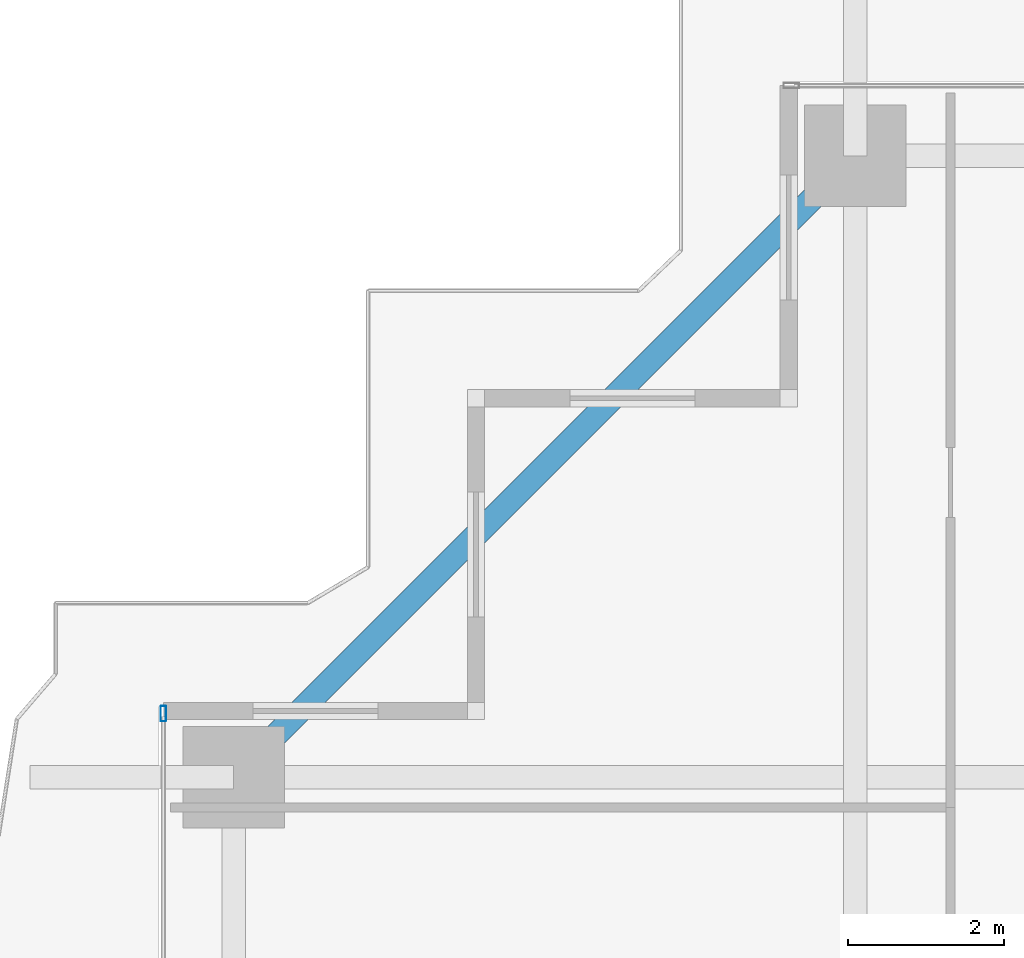
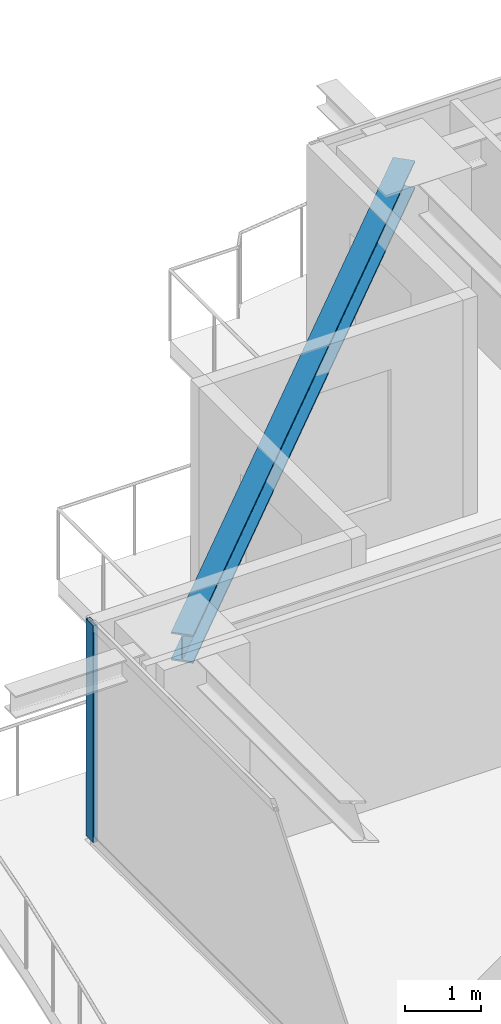
# One storey, part 19 of 39: 1 beam, 1 member, 1 element without a shape of its own.
"""IFC4 building model written with IfcOpenShell, lengths in metres."""

from ifc_helpers import new_model, si_unit, direction, frame, origin, origin_2d, place, context, subcontext, project, spatial, hollow_rectangle, i_section, extrude, source, transform, mapped, material, layer, layer_set, material_profile, profile_set, type_object, element, aggregate, save


model = new_model("IFC4")

# Units and contexts
model_context = context("Model", 3, precision=1e-05, world=origin(), true_north=direction((0.0, 1.0)))
body_context = subcontext(model_context, "Body", "Model", "MODEL_VIEW")
ifc_project = project(units=[si_unit("LENGTHUNIT", "METRE"), si_unit("AREAUNIT", "SQUARE_METRE"), si_unit("VOLUMEUNIT", "CUBIC_METRE"), si_unit("PLANEANGLEUNIT", "RADIAN"), si_unit("MASSUNIT", "GRAM", prefix="KILO")], contexts=[model_context])

# Site, building, storey
site_placement = place(None, origin())
site = spatial("IfcSite", under=ifc_project, at=site_placement, CompositionType="ELEMENT")
building_placement = place(site_placement, origin())
building = spatial("IfcBuilding", under=site, at=building_placement, Name="Serunith Strait Residences", CompositionType="ELEMENT")
storey_placement = place(building_placement, frame((0.0, 0.0, 168.89990234375)))
storey = spatial("IfcBuildingStorey", under=building, at=storey_placement, Name="L42", CompositionType="ELEMENT", Elevation=168.89990234375)

# Beam
ifc_material_1 = material(Name="Steel S355J2", Category="steel")
ifc_material_profile_1 = material_profile(ifc_material_1, i_section(OverallWidth=0.300048828125, OverallDepth=0.449951171875, WebThickness=0.013916015625, FlangeThickness=0.02587890625, FilletRadius=0.027099609375, at=origin_2d()), Name="HEB 450")
ifc_profile_set_1 = profile_set([ifc_material_profile_1], Name="Steel S355J2")
beam_type = type_object("IfcBeamType", Name="BM-HEB450", PredefinedType="BEAM", material=ifc_profile_set_1)
shared_shape_1 = source(origin(), body_context, "Body", "SweptSolid", [
    extrude(i_section(OverallWidth=0.300048828125, OverallDepth=0.449951171875, WebThickness=0.013916015625, FlangeThickness=0.02587890625, FilletRadius=0.027099609375, at=origin_2d()), origin(), (0.0, 0.0, 1.0), 11.2431640625),
])
beam_placement = place(storey_placement, frame((16.64990234375, 48.10009765625, 3.232177734375), z_axis=(-0.707095923751, -0.707117638455, 0.0), x_axis=(0.707117638455, -0.707095923751, 0.0)))
element("IfcBeam", 1, at=beam_placement, inside=storey, type_object=beam_type, Name="L42 Perimeter Ring Beam 12", PredefinedType="BEAM", context=body_context, shape_type="MappedRepresentation", body=[
    mapped(shared_shape_1, transform((0.0, 0.0, 0.0), scale=1.0)),
])

# Curtain wall, member
ifc_material_2 = material(Name="Pale-Champagne Anodised Aluminium", Category="aluminium")
ifc_layer = layer(ifc_material_2, 0.199951171875, Name="Pale-Champagne Anodised Aluminium")
ifc_layer_set = layer_set([ifc_layer], Name="Pale-Champagne Anodised Aluminium")
curtain_wall_type = type_object("IfcCurtainWallType", Name="CW-SYS2", PredefinedType="NOTDEFINED", material=ifc_layer_set)
curtain_wall_placement = place(storey_placement, origin())
curtain_wall = element("IfcCurtainWall", 2, at=curtain_wall_placement, inside=storey, type_object=curtain_wall_type, Name="L42 W Unitised Fritted Curtain Wall", PredefinedType="NOTDEFINED")
ifc_material_profile_2 = material_profile(ifc_material_2, hollow_rectangle(XDim=0.070068359375, YDim=0.199951171875, WallThickness=0.00390625, InnerFilletRadius=0.006103515625, OuterFilletRadius=0.010009765625, at=origin_2d()), Name="ALU 200x70x4")
ifc_profile_set_2 = profile_set([ifc_material_profile_2], Name="Pale-Champagne Anodised Aluminium")
member_type = type_object("IfcMemberType", Name="CW-SYS2-MULL", PredefinedType="MULLION", material=ifc_profile_set_2)
shared_shape_2 = source(origin(), body_context, "Body", "SweptSolid", [
    extrude(hollow_rectangle(XDim=0.070068359375, YDim=0.199951171875, WallThickness=0.00390625, InnerFilletRadius=0.006103515625, OuterFilletRadius=0.010009765625, at=origin_2d()), origin(), (0.0, 0.0, 1.0), 3.47509765625),
])
member_placement = place(storey_placement, frame((7.800048828125, 40.965087890625, 0.0), z_axis=(0.0, 0.0, 1.0), x_axis=(1.0, 0.0, 0.0)))
member = element("IfcMember", 3, at=member_placement, type_object=member_type, Name="CW-2 mullion 1", PredefinedType="MULLION", context=body_context, shape_type="MappedRepresentation", body=[
    mapped(shared_shape_2, transform((0.0, 0.0, 0.0), scale=1.0)),
])
aggregate(curtain_wall, [member])

save(model, "model.ifc")
